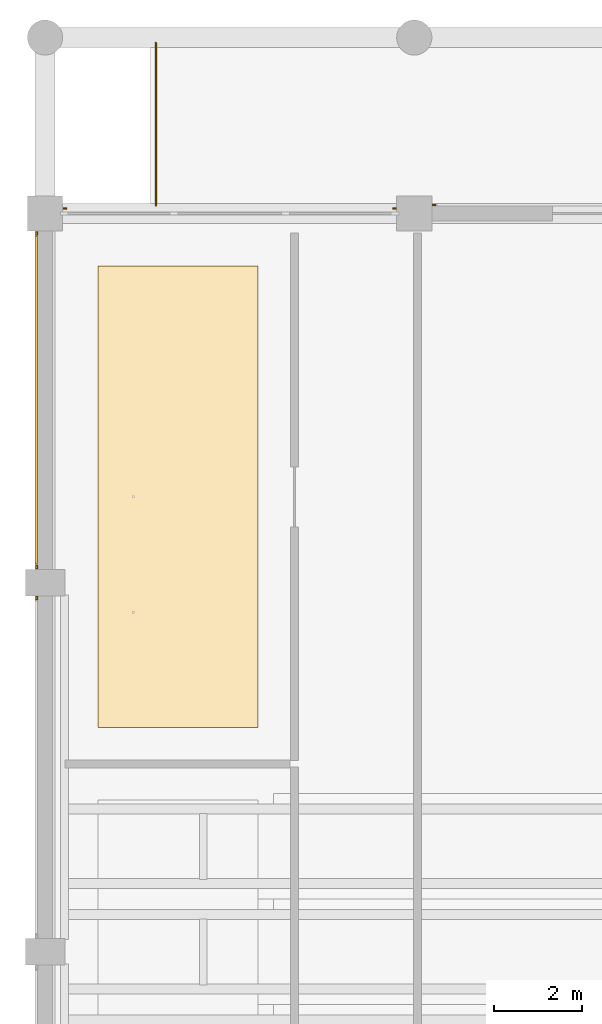
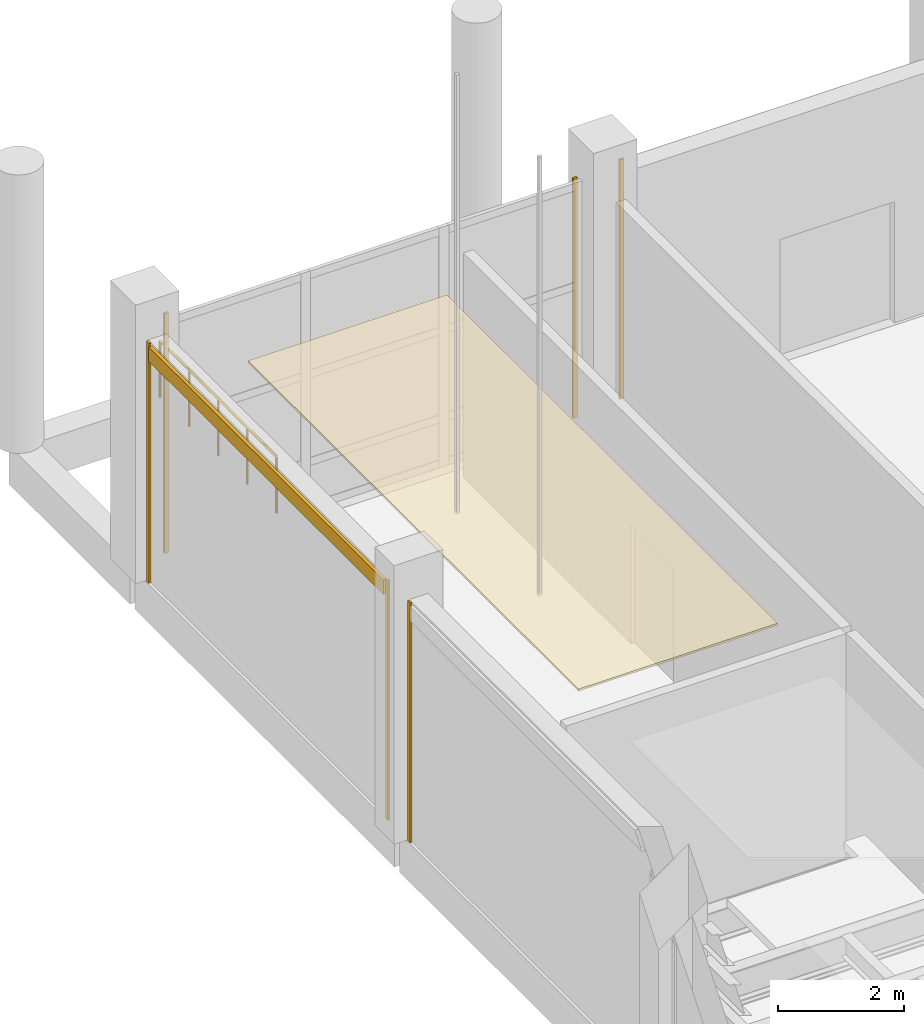
# One storey, part 131 of 140: 8 coverings, 1 railing.
"""IFC4 building model written with IfcOpenShell, lengths in metres."""

import ifcopenshell
import ifcopenshell.guid

model = None  # the IFC model being written
_history = None  # IfcOwnerHistory: only IFC2X3 demands one
_inside = {}  # id of a spatial element -> (the spatial element, [elements in it])
_under = {}  # id of a project, library or spatial element -> (it, [spatial elements below it])
_declared = {}  # id of a project -> (the project, [libraries it declares])
_typed = {}  # id of a type object -> (the type object, [elements of that type])
_made_of = {}  # id of a material, layer set ... -> (it, [elements and type objects made of it])


def new_model(schema):
    """Start an empty IFC model of exactly this schema.

    Asked for "IFC4X3", IfcOpenShell would pick the latest addendum, in which some entities
    have other attributes; the version numbers below select the first issue.
    IFC2X3 requires an IfcOwnerHistory on every rooted entity: one is made here for all.
    """
    global model, _history
    if schema == "IFC4X3":
        model = ifcopenshell.file(schema_version=(4, 3, 0, 0))
    else:
        model = ifcopenshell.file(schema=schema)
    _inside.clear()
    _under.clear()
    _declared.clear()
    _typed.clear()
    _made_of.clear()
    _history = None
    if model.schema == "IFC2X3":
        org = make("IfcOrganization", Name="unknown")
        user = make(
            "IfcPersonAndOrganization",
            ThePerson=make("IfcPerson", FamilyName="unknown"),
            TheOrganization=org,
        )
        app = make(
            "IfcApplication",
            ApplicationDeveloper=org,
            Version="unknown",
            ApplicationFullName="unknown",
            ApplicationIdentifier="unknown",
        )
        _history = make(
            "IfcOwnerHistory",
            OwningUser=user,
            OwningApplication=app,
            ChangeAction="ADDED",
            CreationDate=0,
        )
    return model


def make(cls, **values):
    """One entity of the class cls with the attributes given. An attribute that is None is left unset."""
    return model.create_entity(
        cls, **{name: value for name, value in values.items() if value is not None}
    )


def rooted(cls, **values):
    """An entity with a GlobalId (a new one), such as an element, a storey or a relation."""
    return make(cls, GlobalId=ifcopenshell.guid.new(), OwnerHistory=_history, **values)


def si_unit(unit_type, name, prefix=None):
    """IfcSIUnit, for example si_unit("LENGTHUNIT", "METRE", prefix="MILLI")."""
    return make("IfcSIUnit", UnitType=unit_type, Prefix=prefix, Name=name)


def assignment(units):
    """IfcUnitAssignment: the units of a project."""
    return None if units is None else make("IfcUnitAssignment", Units=units)


def point(xyz):
    """IfcCartesianPoint."""
    return None if xyz is None else make("IfcCartesianPoint", Coordinates=xyz)


def direction(xyz):
    """IfcDirection."""
    return None if xyz is None else make("IfcDirection", DirectionRatios=xyz)


def frame(location, z_axis=None, x_axis=None):
    """IfcAxis2Placement3D, a coordinate frame: its origin and axes. An axis left out is left unset."""
    return make(
        "IfcAxis2Placement3D",
        Location=point(location),
        Axis=direction(z_axis),
        RefDirection=direction(x_axis),
    )


def frame_2d(location, x_axis=None):
    """IfcAxis2Placement2D, a coordinate frame in the plane: its origin and x axis."""
    return make(
        "IfcAxis2Placement2D", Location=point(location), RefDirection=direction(x_axis)
    )


def origin():
    """The frame at (0, 0, 0) with its axes left unset."""
    return frame((0.0, 0.0, 0.0))


def origin_2d():
    """The frame at (0, 0) in the plane with its x axis left unset."""
    return frame_2d((0.0, 0.0))


def place(relative_to, where):
    """IfcLocalPlacement: puts the frame where relative to a parent placement (None: the world)."""
    return make(
        "IfcLocalPlacement", PlacementRelTo=relative_to, RelativePlacement=where
    )


def context(
    kind, dimensions, precision=None, world=None, true_north=None, identifier=None
):
    """IfcGeometricRepresentationContext, for example the 3D "Model" context."""
    return make(
        "IfcGeometricRepresentationContext",
        ContextIdentifier=identifier,
        ContextType=kind,
        CoordinateSpaceDimension=dimensions,
        Precision=precision,
        WorldCoordinateSystem=world,
        TrueNorth=true_north,
    )


def subcontext(parent, identifier, kind, view, scale=None):
    """IfcGeometricRepresentationSubContext, for example "Body" below "Model"."""
    return make(
        "IfcGeometricRepresentationSubContext",
        ContextIdentifier=identifier,
        ContextType=kind,
        ParentContext=parent,
        TargetScale=scale,
        TargetView=view,
    )


def project(units=None, contexts=None):
    """IfcProject with its units and contexts."""
    return rooted(
        "IfcProject",
        Name="project",
        RepresentationContexts=contexts,
        UnitsInContext=assignment(units),
    )


def spatial(cls, under=None, at=None, **own):
    """A site, building, storey or space (cls), placed at a placement, below another one or the project."""
    s = rooted(cls, ObjectPlacement=at, **own)
    if under is not None:
        _under.setdefault(under.id(), (under, []))[1].append(s)
    return s


def polyline(points):
    """IfcPolyline through the points."""
    return make("IfcPolyline", Points=[point(p) for p in points])


def profile(cls, at=None, kind="AREA", **sizes):
    """A parametric profile (cls). Its sizes go by their IFC names, for example OverallWidth=200.0."""
    return make(cls, ProfileType=kind, Position=at, **sizes)


def rectangle(**sizes):
    """IfcRectangleProfileDef."""
    return profile("IfcRectangleProfileDef", **sizes)


def circle(**sizes):
    """IfcCircleProfileDef."""
    return profile("IfcCircleProfileDef", **sizes)


def outline(outer, holes=None, kind="AREA"):
    """IfcArbitraryClosedProfileDef: a profile drawn as a closed curve; with holes, ...WithVoids."""
    if holes is None:
        return make("IfcArbitraryClosedProfileDef", ProfileType=kind, OuterCurve=outer)
    return make(
        "IfcArbitraryProfileDefWithVoids",
        ProfileType=kind,
        OuterCurve=outer,
        InnerCurves=holes,
    )


def extrude(swept, where, along, depth):
    """IfcExtrudedAreaSolid: the profile swept, set in the frame where, extruded along a direction by depth."""
    return make(
        "IfcExtrudedAreaSolid",
        SweptArea=swept,
        Position=where,
        ExtrudedDirection=direction(along),
        Depth=depth,
    )


def shape(context_of_items, identifier, shape_type, items):
    """IfcShapeRepresentation: the items that make up one representation, for example the "Body"."""
    return make(
        "IfcShapeRepresentation",
        ContextOfItems=context_of_items,
        RepresentationIdentifier=identifier,
        RepresentationType=shape_type,
        Items=items,
    )


def material(Name=None, Category=None):
    """IfcMaterial."""
    return make("IfcMaterial", Name=Name, Category=Category)


def layer(
    of_material, thickness, ventilated=None, Name=None, Category=None, Priority=None
):
    """IfcMaterialLayer: one layer of a wall or slab, of a material (None: an air gap)."""
    return make(
        "IfcMaterialLayer",
        Material=of_material,
        LayerThickness=thickness,
        IsVentilated=ventilated,
        Name=Name,
        Category=Category,
        Priority=Priority,
    )


def layer_set(layers, Name=None):
    """IfcMaterialLayerSet."""
    return make("IfcMaterialLayerSet", MaterialLayers=layers, LayerSetName=Name)


def made_of(thing, what):
    """Note that an element or type object is made of a material, layer set ...; save() writes the relation."""
    if what is not None:
        _made_of.setdefault(what.id(), (what, []))[1].append(thing)
    return thing


def type_object(cls, material=None, **own):
    """A type object (cls), such as IfcWallType, which elements share."""
    return made_of(rooted(cls, **own), material)


def element(
    cls,
    number,
    at=None,
    inside=None,
    cuts=None,
    type_object=None,
    material=None,
    context=None,
    identifier="Body",
    shape_type=None,
    held_by="IfcProductDefinitionShape",
    body=None,
    shapes=None,
    **own,
):
    """One element of the class cls, such as IfcWall. Its Tag is "e" and its number.

    at: its placement. inside: the storey or other place that contains it. cuts: it is an
    opening in that element (IfcRelVoidsElement). A single representation is given by context,
    identifier, shape_type and body (its items); several are given by shapes. held_by: the class
    of the entity that holds the representations. save() writes the other relations.
    """
    e = rooted(cls, Tag="e%d" % number, ObjectPlacement=at, **own)
    if body is not None:
        shapes = [shape(context, identifier, shape_type, body)]
    if shapes is not None:
        e.Representation = make(held_by, Representations=shapes)
    if inside is not None:
        _inside.setdefault(inside.id(), (inside, []))[1].append(e)
    if cuts is not None:
        rooted(
            "IfcRelVoidsElement", RelatingBuildingElement=cuts, RelatedOpeningElement=e
        )
    if type_object is not None:
        _typed.setdefault(type_object.id(), (type_object, []))[1].append(e)
    return made_of(e, material)


def aggregate(whole, parts):
    """IfcRelAggregates: a whole, such as a stair, and the parts it consists of."""
    return rooted("IfcRelAggregates", RelatingObject=whole, RelatedObjects=parts)


def save(model, path):
    """Write the relations noted so far, then the file.

    IfcRelAggregates (storeys below a building ...), IfcRelContainedInSpatialStructure (elements
    in a storey), IfcRelDefinesByType, IfcRelAssociatesMaterial and IfcRelDeclares: one each for
    every whole, place, type object, material and project.
    """
    for whole, parts in _under.values():
        aggregate(whole, parts)
    for where, things in _inside.values():
        rooted(
            "IfcRelContainedInSpatialStructure",
            RelatedElements=things,
            RelatingStructure=where,
        )
    for kind, things in _typed.values():
        rooted("IfcRelDefinesByType", RelatedObjects=things, RelatingType=kind)
    for what, things in _made_of.values():
        rooted("IfcRelAssociatesMaterial", RelatedObjects=things, RelatingMaterial=what)
    for by, libraries in _declared.values():
        rooted("IfcRelDeclares", RelatingContext=by, RelatedDefinitions=libraries)
    model.write(path)


model = new_model("IFC4")

# Units and contexts
model_context = context("Model", 3, precision=1e-05, world=origin(), true_north=direction((0.0, 1.0)))
body_context = subcontext(model_context, "Body", "Model", "MODEL_VIEW")
ifc_project = project(units=[si_unit("LENGTHUNIT", "METRE"), si_unit("AREAUNIT", "SQUARE_METRE"), si_unit("VOLUMEUNIT", "CUBIC_METRE"), si_unit("PLANEANGLEUNIT", "RADIAN"), si_unit("MASSUNIT", "GRAM", prefix="KILO")], contexts=[model_context])

# Site, building, storey
site_placement = place(None, origin())
site = spatial("IfcSite", under=ifc_project, at=site_placement, CompositionType="ELEMENT")
building_placement = place(site_placement, origin())
building = spatial("IfcBuilding", under=site, at=building_placement, Name="Telukmera Botanical Conservatory", CompositionType="ELEMENT")
storey_placement = place(building_placement, origin())
storey = spatial("IfcBuildingStorey", under=building, at=storey_placement, Name="L00", CompositionType="ELEMENT", Elevation=0.0)

# Covering
ifc_material_1 = material(Name="Perforated gypsum acoustic ceiling")
ifc_layer_1 = layer(ifc_material_1, 0.0400390625)
ifc_layer_set_1 = layer_set([ifc_layer_1], Name="Perforated gypsum acoustic ceiling")
covering_type_1 = type_object("IfcCoveringType", Name="COV-CEIL-40", PredefinedType="CEILING", material=ifc_layer_set_1)
covering_1_placement = place(storey_placement, frame((0.0, 0.0, 4.2099609375)))
element("IfcCovering", 1, at=covering_1_placement, inside=storey, type_object=covering_type_1, Name="L00 Symposium Speakers Lounge Suspended Acoustic Ceiling", PredefinedType="CEILING", context=body_context, shape_type="SweptSolid", body=[
    extrude(outline(polyline([(9.60009765625, 105.10009765625), (13.25, 105.10009765625), (13.25, 115.60009765625), (9.60009765625, 115.60009765625), (9.60009765625, 105.10009765625)])), origin(), (0.0, 0.0, 1.0), 0.0400390625),
])

# Railing
ifc_material_2 = material(Name="Brushed stainless steel grade 316", Category="steel")
railing_type = type_object("IfcRailingType", Name="Exterior Terrace Safety Guardrail 1100", PredefinedType="GUARDRAIL", material=ifc_material_2)
railing_placement = place(storey_placement, frame((10.919921875, 116.97998046875, 0.0)))
element("IfcRailing", 2, at=railing_placement, inside=storey, type_object=railing_type, Name="Auditorium North Portico West Guardrail", PredefinedType="GUARDRAIL", context=body_context, shape_type="SweptSolid", body=[
    extrude(circle(Radius=0.02392578125, at=origin_2d()), frame((0.0, 0.0, 1.09619140625), z_axis=(0.0, 1.0, 0.0), x_axis=(-1.0, 0.0, 0.0)), (0.0, 0.0, 1.0), 3.699951171875),
    extrude(circle(Radius=0.02099609375, at=origin_2d()), origin(), (0.0, 0.0, 1.0), 1.072021484375),
    extrude(circle(Radius=0.02099609375, at=origin_2d()), frame((0.0, 0.925048828125, 0.0)), (0.0, 0.0, 1.0), 1.072021484375),
    extrude(circle(Radius=0.02099609375, at=origin_2d()), frame((0.0, 1.85009765625, 0.0)), (0.0, 0.0, 1.0), 1.072021484375),
    extrude(circle(Radius=0.02099609375, at=origin_2d()), frame((0.0, 2.77490234375, 0.0)), (0.0, 0.0, 1.0), 1.072021484375),
    extrude(circle(Radius=0.02099609375, at=origin_2d()), frame((0.0, 3.699951171875, 0.0)), (0.0, 0.0, 1.0), 1.072021484375),
])

# Coverings
ifc_material_3 = material(Name="Granite-faced precast concrete C40/50", Category="masonry")
ifc_layer_2 = layer(ifc_material_3, 0.0400390625)
ifc_layer_set_2 = layer_set([ifc_layer_2], Name="Granite-faced precast concrete C40/50")
covering_type_2 = type_object("IfcCoveringType", Name="Granite Precast Column Pier Reveal Casing", PredefinedType="CLADDING", material=ifc_layer_set_2)
for number, where, z_axis, x_axis, name in (
    (3, (8.85205078125, 116.909912109375, 0.0), (0.0, 0.0, 1.0), (1.0, 0.0, 0.0), "Granite Pier Reveal V2:L00:N1 L"),
    (4, (16.347900390625, 116.909912109375, 0.0), (0.0, 0.0, 1.0), (1.0, 0.0, 0.0), "Granite Pier Reveal V2:L00:N1 R"),
    (5, (17.251953125, 116.989990234375, 0.0), (0.0, 0.0, 1.0), (1.0, 0.0, 0.0), "Granite Pier Reveal V2:L00:N2 L"),
    (6, (8.2099609375, 108.048095703125, 0.0), (0.0, 0.0, 1.0), (0.0, 1.0, 0.0), "Granite Pier Reveal V2:L00:W3 R"),
    (7, (8.2099609375, 108.751953125, 0.0), (0.0, 0.0, 1.0), (0.0, 1.0, 0.0), "Granite Pier Reveal V2:L00:W4 L"),
    (8, (8.2099609375, 116.347900390625, 0.0), (0.0, 0.0, 1.0), (0.0, 1.0, 0.0), "Granite Pier Reveal V2:L00:W4 R"),
):
    element("IfcCovering", number, at=place(storey_placement, frame(where, z_axis=z_axis, x_axis=x_axis)), inside=storey, type_object=covering_type_2, Name=name, PredefinedType="CLADDING", context=body_context, shape_type="SweptSolid", body=[
        extrude(rectangle(XDim=0.080078125, YDim=0.0400390625, at=origin_2d()), origin(), (0.0, 0.0, 1.0), 4.64990234375),
    ])
ifc_material_4 = material(Name="Terracotta-faced precast concrete C40/50", Category="masonry")
ifc_layer_3 = layer(ifc_material_4, 0.06005859375)
ifc_layer_set_3 = layer_set([ifc_layer_3], Name="Terracotta-faced precast concrete C40/50")
covering_type_3 = type_object("IfcCoveringType", Name="Polychrome Terracotta Facade Band Cladding", PredefinedType="CLADDING", material=ifc_layer_set_3)
covering_2_placement = place(storey_placement, frame((8.199951171875, 112.550048828125, 4.330078125), z_axis=(0.0, 0.0, 1.0), x_axis=(0.0, 1.0, 0.0)))
element("IfcCovering", 9, at=covering_2_placement, inside=storey, type_object=covering_type_3, Name="Polychrome Terracotta Band V2:L00:W4", PredefinedType="CLADDING", context=body_context, shape_type="SweptSolid", body=[
    extrude(rectangle(XDim=7.4560546875, YDim=0.06005859375, at=origin_2d()), origin(), (0.0, 0.0, 1.0), 0.280029296875),
])

save(model, "model.ifc")
